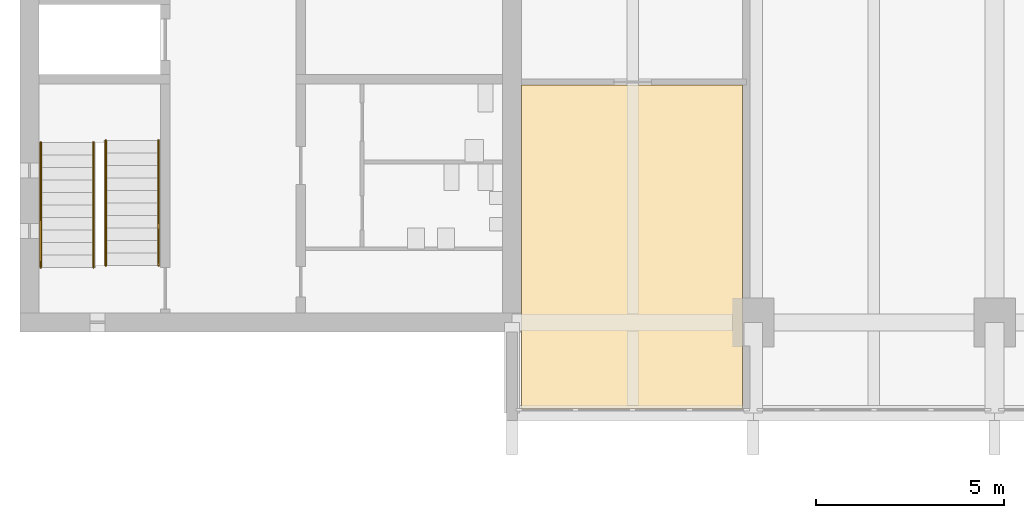
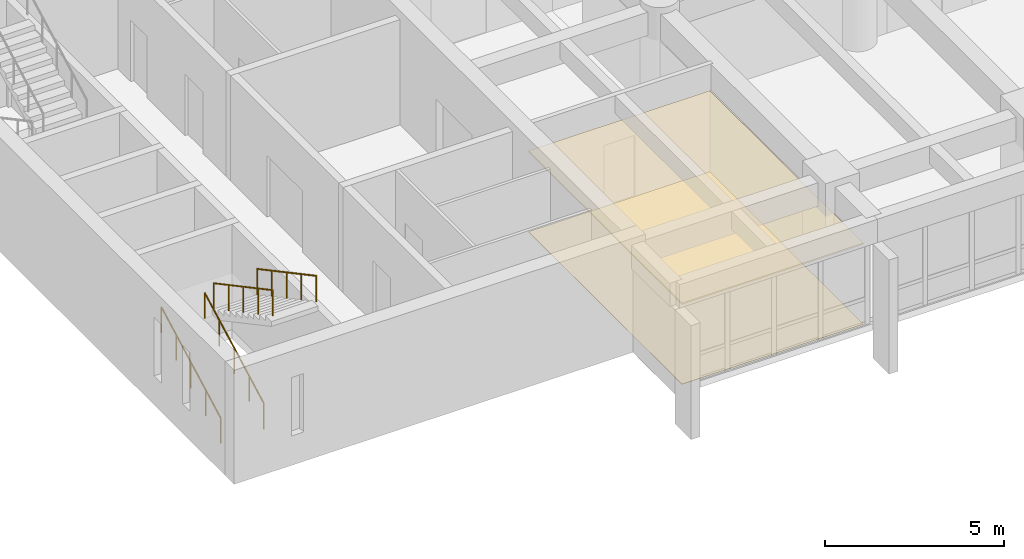
# One storey, part 16 of 19: 4 railings, 2 coverings.
"""IFC4 building model written with IfcOpenShell, lengths in metres."""

from ifc_helpers import new_model, si_unit, direction, frame, origin, origin_2d, place, context, subcontext, project, spatial, polyline, circle, outline, extrude, material, layer, layer_set, type_object, element, save


model = new_model("IFC4")

# Units and contexts
model_context = context("Model", 3, precision=1e-05, world=origin(), true_north=direction((0.0, 1.0)))
body_context = subcontext(model_context, "Body", "Model", "MODEL_VIEW")
ifc_project = project(units=[si_unit("LENGTHUNIT", "METRE"), si_unit("AREAUNIT", "SQUARE_METRE"), si_unit("VOLUMEUNIT", "CUBIC_METRE"), si_unit("PLANEANGLEUNIT", "RADIAN"), si_unit("MASSUNIT", "GRAM", prefix="KILO")], contexts=[model_context])

# Site, building, storey
site_placement = place(None, origin())
site = spatial("IfcSite", under=ifc_project, at=site_placement, CompositionType="ELEMENT")
building_placement = place(site_placement, origin())
building = spatial("IfcBuilding", under=site, at=building_placement, Name="Fogon Plaza Fire Station and Headquarters Tower", CompositionType="ELEMENT")
storey_placement = place(building_placement, frame((0.0, 0.0, 17.10009765625)))
storey = spatial("IfcBuildingStorey", under=building, at=storey_placement, Name="L04", CompositionType="ELEMENT", Elevation=17.10009765625)

# Railings
ifc_material_1 = material(Name="Steel", Category="steel")
railing_type = type_object("IfcRailingType", Name="Stair Handrail 900", PredefinedType="HANDRAIL", material=ifc_material_1)
for number, where, name in (
    (1, (13.10009765625, 35.06005859375, 0.17724609375), "Handrail ST1"),
    (2, (14.5, 35.06005859375, 0.17724609375), "Handrail ST1"),
):
    element("IfcRailing", number, at=place(storey_placement, frame(where)), inside=storey, type_object=railing_type, Name=name, PredefinedType="HANDRAIL", context=body_context, shape_type="SweptSolid", body=[
        extrude(circle(Radius=0.02392578125, at=origin_2d()), frame((0.0, 0.0, 0.8759765625), z_axis=(0.0, 0.881829236777, 0.471568867892), x_axis=(-1.0, 0.0, 0.0)), (0.0, 0.0, 1.0), 3.75927734375),
        extrude(circle(Radius=0.02099609375, at=origin_2d()), origin(), (0.0, 0.0, 1.0), 0.851806640625),
        extrude(circle(Radius=0.02099609375, at=origin_2d()), frame((0.0, 0.82861328125, 0.443115234375)), (0.0, 0.0, 1.0), 0.851806640625),
        extrude(circle(Radius=0.02099609375, at=origin_2d()), frame((0.0, 1.657470703125, 0.88623046875)), (0.0, 0.0, 1.0), 0.851806640625),
        extrude(circle(Radius=0.02099609375, at=origin_2d()), frame((0.0, 2.486328125, 1.32958984375)), (0.0, 0.0, 1.0), 0.851806640625),
        extrude(circle(Radius=0.02099609375, at=origin_2d()), frame((0.0, 3.31494140625, 1.772705078125)), (0.0, 0.0, 1.0), 0.851806640625),
    ])
for number, where, name in (
    (3, (16.22509765625, 38.425048828125, 2.127197265625), "Handrail ST1"),
    (4, (14.824951171875, 38.425048828125, 2.127197265625), "Handrail ST1"),
):
    element("IfcRailing", number, at=place(storey_placement, frame(where)), inside=storey, type_object=railing_type, Name=name, PredefinedType="HANDRAIL", context=body_context, shape_type="SweptSolid", body=[
        extrude(circle(Radius=0.02392578125, at=origin_2d()), frame((0.0, 0.0, 0.8759765625), z_axis=(0.0, -0.881829236777, 0.471568867892), x_axis=(1.0, 0.0, 0.0)), (0.0, 0.0, 1.0), 3.75927734375),
        extrude(circle(Radius=0.02099609375, at=origin_2d()), origin(), (0.0, 0.0, 1.0), 0.851806640625),
        extrude(circle(Radius=0.02099609375, at=origin_2d()), frame((0.0, -0.82861328125, 0.443115234375)), (0.0, 0.0, 1.0), 0.851806640625),
        extrude(circle(Radius=0.02099609375, at=origin_2d()), frame((0.0, -1.657470703125, 0.88623046875)), (0.0, 0.0, 1.0), 0.851806640625),
        extrude(circle(Radius=0.02099609375, at=origin_2d()), frame((0.0, -2.486328125, 1.32958984375)), (0.0, 0.0, 1.0), 0.851806640625),
        extrude(circle(Radius=0.02099609375, at=origin_2d()), frame((0.0, -3.31494140625, 1.772705078125)), (0.0, 0.0, 1.0), 0.851806640625),
    ])

# Coverings
ifc_material_2 = material(Name="Acoustic ceiling tile")
ifc_layer_1 = layer(ifc_material_2, 0.050048828125)
ifc_layer_set_1 = layer_set([ifc_layer_1], Name="Acoustic ceiling tile")
covering_type_1 = type_object("IfcCoveringType", Name="Tower acoustic ceiling", PredefinedType="CEILING", material=ifc_layer_set_1)
covering_1_placement = place(storey_placement, frame((0.0, 0.0, 2.72998046875)))
element("IfcCovering", 5, at=covering_1_placement, inside=storey, type_object=covering_type_1, Name="cov-cl-L04-10", PredefinedType="CEILING", context=body_context, shape_type="SweptSolid", body=[
    extrude(outline(polyline([(31.719970703125, 31.300048828125), (31.719970703125, 39.89990234375), (25.85009765625, 39.89990234375), (25.85009765625, 31.300048828125), (31.719970703125, 31.300048828125)])), origin(), (0.0, 0.0, 1.0), 0.0498046875),
])
ifc_material_3 = material(Name="Carpet tile")
ifc_layer_2 = layer(ifc_material_3, 0.011962890625)
ifc_layer_set_2 = layer_set([ifc_layer_2], Name="Carpet tile")
covering_type_2 = type_object("IfcCoveringType", Name="Tower carpet tile floor", PredefinedType="FLOORING", material=ifc_layer_set_2)
covering_2_placement = place(storey_placement, origin())
element("IfcCovering", 6, at=covering_2_placement, inside=storey, type_object=covering_type_2, Name="cov-fl-L04-10", PredefinedType="FLOORING", context=body_context, shape_type="SweptSolid", body=[
    extrude(outline(polyline([(31.719970703125, 31.300048828125), (31.719970703125, 39.89990234375), (25.85009765625, 39.89990234375), (25.85009765625, 31.300048828125), (31.719970703125, 31.300048828125)])), origin(), (0.0, 0.0, 1.0), 0.011962890625),
])

save(model, "model.ifc")
